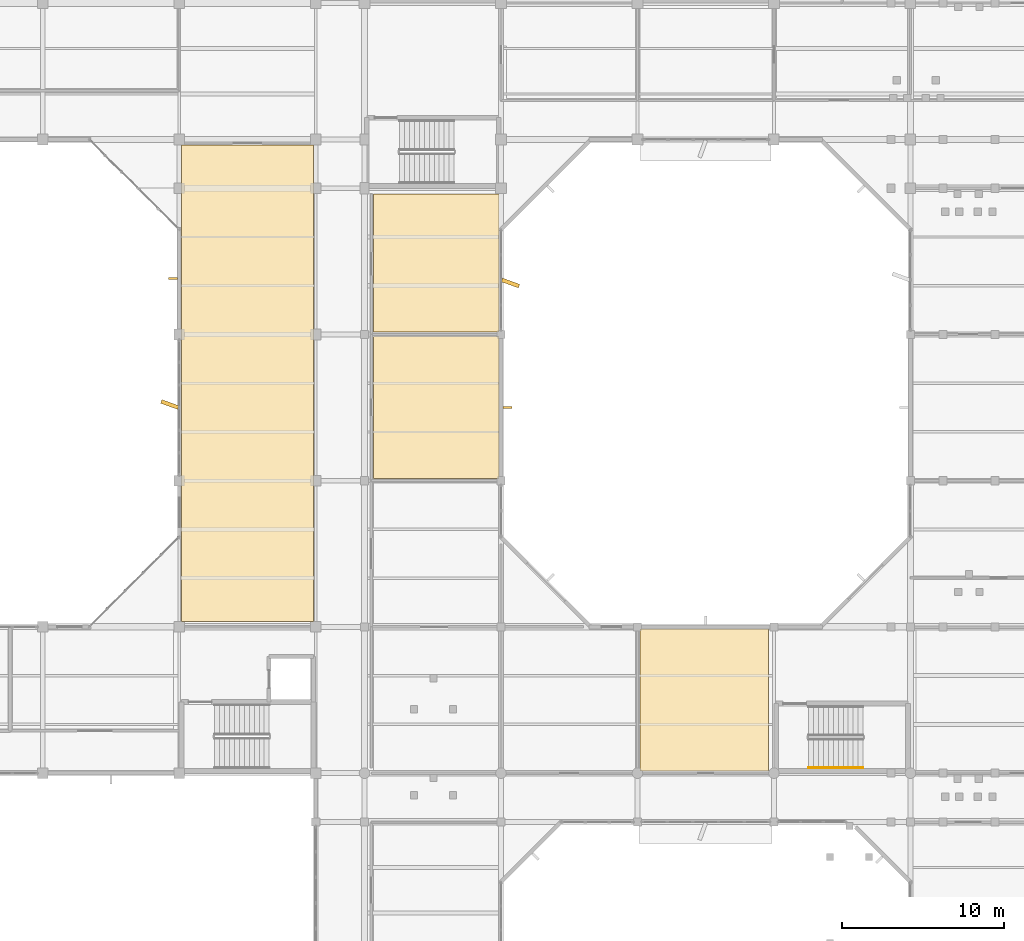
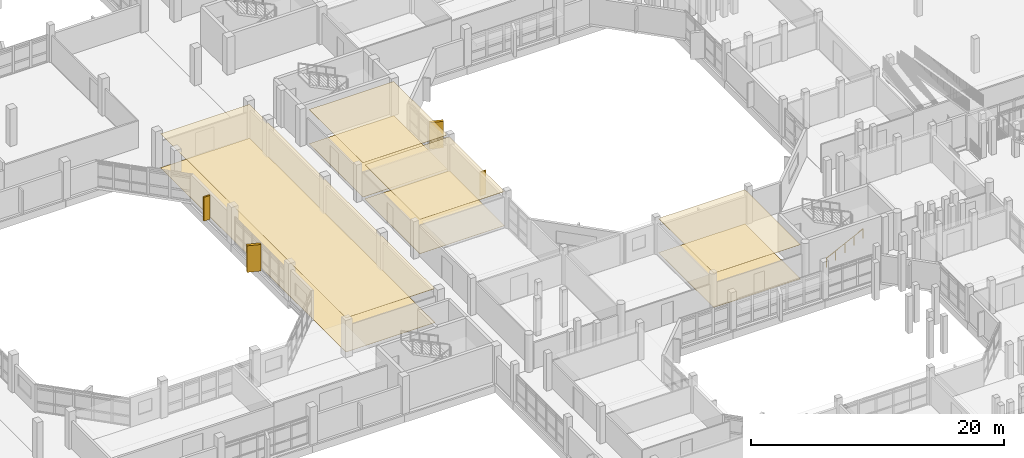
# One storey, part 86 of 104: 10 coverings, 2 shading devices, 1 railing.
"""IFC4 building model written with IfcOpenShell, lengths in metres."""

import ifcopenshell
import ifcopenshell.guid

model = None  # the IFC model being written
_history = None  # IfcOwnerHistory: only IFC2X3 demands one
_inside = {}  # id of a spatial element -> (the spatial element, [elements in it])
_under = {}  # id of a project, library or spatial element -> (it, [spatial elements below it])
_declared = {}  # id of a project -> (the project, [libraries it declares])
_typed = {}  # id of a type object -> (the type object, [elements of that type])
_made_of = {}  # id of a material, layer set ... -> (it, [elements and type objects made of it])


def new_model(schema):
    """Start an empty IFC model of exactly this schema.

    Asked for "IFC4X3", IfcOpenShell would pick the latest addendum, in which some entities
    have other attributes; the version numbers below select the first issue.
    IFC2X3 requires an IfcOwnerHistory on every rooted entity: one is made here for all.
    """
    global model, _history
    if schema == "IFC4X3":
        model = ifcopenshell.file(schema_version=(4, 3, 0, 0))
    else:
        model = ifcopenshell.file(schema=schema)
    _inside.clear()
    _under.clear()
    _declared.clear()
    _typed.clear()
    _made_of.clear()
    _history = None
    if model.schema == "IFC2X3":
        org = make("IfcOrganization", Name="unknown")
        user = make(
            "IfcPersonAndOrganization",
            ThePerson=make("IfcPerson", FamilyName="unknown"),
            TheOrganization=org,
        )
        app = make(
            "IfcApplication",
            ApplicationDeveloper=org,
            Version="unknown",
            ApplicationFullName="unknown",
            ApplicationIdentifier="unknown",
        )
        _history = make(
            "IfcOwnerHistory",
            OwningUser=user,
            OwningApplication=app,
            ChangeAction="ADDED",
            CreationDate=0,
        )
    return model


def make(cls, **values):
    """One entity of the class cls with the attributes given. An attribute that is None is left unset."""
    return model.create_entity(
        cls, **{name: value for name, value in values.items() if value is not None}
    )


def rooted(cls, **values):
    """An entity with a GlobalId (a new one), such as an element, a storey or a relation."""
    return make(cls, GlobalId=ifcopenshell.guid.new(), OwnerHistory=_history, **values)


def si_unit(unit_type, name, prefix=None):
    """IfcSIUnit, for example si_unit("LENGTHUNIT", "METRE", prefix="MILLI")."""
    return make("IfcSIUnit", UnitType=unit_type, Prefix=prefix, Name=name)


def assignment(units):
    """IfcUnitAssignment: the units of a project."""
    return None if units is None else make("IfcUnitAssignment", Units=units)


def point(xyz):
    """IfcCartesianPoint."""
    return None if xyz is None else make("IfcCartesianPoint", Coordinates=xyz)


def direction(xyz):
    """IfcDirection."""
    return None if xyz is None else make("IfcDirection", DirectionRatios=xyz)


def frame(location, z_axis=None, x_axis=None):
    """IfcAxis2Placement3D, a coordinate frame: its origin and axes. An axis left out is left unset."""
    return make(
        "IfcAxis2Placement3D",
        Location=point(location),
        Axis=direction(z_axis),
        RefDirection=direction(x_axis),
    )


def frame_2d(location, x_axis=None):
    """IfcAxis2Placement2D, a coordinate frame in the plane: its origin and x axis."""
    return make(
        "IfcAxis2Placement2D", Location=point(location), RefDirection=direction(x_axis)
    )


def origin():
    """The frame at (0, 0, 0) with its axes left unset."""
    return frame((0.0, 0.0, 0.0))


def origin_2d():
    """The frame at (0, 0) in the plane with its x axis left unset."""
    return frame_2d((0.0, 0.0))


def place(relative_to, where):
    """IfcLocalPlacement: puts the frame where relative to a parent placement (None: the world)."""
    return make(
        "IfcLocalPlacement", PlacementRelTo=relative_to, RelativePlacement=where
    )


def context(
    kind, dimensions, precision=None, world=None, true_north=None, identifier=None
):
    """IfcGeometricRepresentationContext, for example the 3D "Model" context."""
    return make(
        "IfcGeometricRepresentationContext",
        ContextIdentifier=identifier,
        ContextType=kind,
        CoordinateSpaceDimension=dimensions,
        Precision=precision,
        WorldCoordinateSystem=world,
        TrueNorth=true_north,
    )


def subcontext(parent, identifier, kind, view, scale=None):
    """IfcGeometricRepresentationSubContext, for example "Body" below "Model"."""
    return make(
        "IfcGeometricRepresentationSubContext",
        ContextIdentifier=identifier,
        ContextType=kind,
        ParentContext=parent,
        TargetScale=scale,
        TargetView=view,
    )


def project(units=None, contexts=None):
    """IfcProject with its units and contexts."""
    return rooted(
        "IfcProject",
        Name="project",
        RepresentationContexts=contexts,
        UnitsInContext=assignment(units),
    )


def spatial(cls, under=None, at=None, **own):
    """A site, building, storey or space (cls), placed at a placement, below another one or the project."""
    s = rooted(cls, ObjectPlacement=at, **own)
    if under is not None:
        _under.setdefault(under.id(), (under, []))[1].append(s)
    return s


def polyline(points):
    """IfcPolyline through the points."""
    return make("IfcPolyline", Points=[point(p) for p in points])


def profile(cls, at=None, kind="AREA", **sizes):
    """A parametric profile (cls). Its sizes go by their IFC names, for example OverallWidth=200.0."""
    return make(cls, ProfileType=kind, Position=at, **sizes)


def rectangle(**sizes):
    """IfcRectangleProfileDef."""
    return profile("IfcRectangleProfileDef", **sizes)


def circle(**sizes):
    """IfcCircleProfileDef."""
    return profile("IfcCircleProfileDef", **sizes)


def outline(outer, holes=None, kind="AREA"):
    """IfcArbitraryClosedProfileDef: a profile drawn as a closed curve; with holes, ...WithVoids."""
    if holes is None:
        return make("IfcArbitraryClosedProfileDef", ProfileType=kind, OuterCurve=outer)
    return make(
        "IfcArbitraryProfileDefWithVoids",
        ProfileType=kind,
        OuterCurve=outer,
        InnerCurves=holes,
    )


def extrude(swept, where, along, depth):
    """IfcExtrudedAreaSolid: the profile swept, set in the frame where, extruded along a direction by depth."""
    return make(
        "IfcExtrudedAreaSolid",
        SweptArea=swept,
        Position=where,
        ExtrudedDirection=direction(along),
        Depth=depth,
    )


def shape(context_of_items, identifier, shape_type, items):
    """IfcShapeRepresentation: the items that make up one representation, for example the "Body"."""
    return make(
        "IfcShapeRepresentation",
        ContextOfItems=context_of_items,
        RepresentationIdentifier=identifier,
        RepresentationType=shape_type,
        Items=items,
    )


def material(Name=None, Category=None):
    """IfcMaterial."""
    return make("IfcMaterial", Name=Name, Category=Category)


def layer(
    of_material, thickness, ventilated=None, Name=None, Category=None, Priority=None
):
    """IfcMaterialLayer: one layer of a wall or slab, of a material (None: an air gap)."""
    return make(
        "IfcMaterialLayer",
        Material=of_material,
        LayerThickness=thickness,
        IsVentilated=ventilated,
        Name=Name,
        Category=Category,
        Priority=Priority,
    )


def layer_set(layers, Name=None):
    """IfcMaterialLayerSet."""
    return make("IfcMaterialLayerSet", MaterialLayers=layers, LayerSetName=Name)


def made_of(thing, what):
    """Note that an element or type object is made of a material, layer set ...; save() writes the relation."""
    if what is not None:
        _made_of.setdefault(what.id(), (what, []))[1].append(thing)
    return thing


def type_object(cls, material=None, **own):
    """A type object (cls), such as IfcWallType, which elements share."""
    return made_of(rooted(cls, **own), material)


def element(
    cls,
    number,
    at=None,
    inside=None,
    cuts=None,
    type_object=None,
    material=None,
    context=None,
    identifier="Body",
    shape_type=None,
    held_by="IfcProductDefinitionShape",
    body=None,
    shapes=None,
    **own,
):
    """One element of the class cls, such as IfcWall. Its Tag is "e" and its number.

    at: its placement. inside: the storey or other place that contains it. cuts: it is an
    opening in that element (IfcRelVoidsElement). A single representation is given by context,
    identifier, shape_type and body (its items); several are given by shapes. held_by: the class
    of the entity that holds the representations. save() writes the other relations.
    """
    e = rooted(cls, Tag="e%d" % number, ObjectPlacement=at, **own)
    if body is not None:
        shapes = [shape(context, identifier, shape_type, body)]
    if shapes is not None:
        e.Representation = make(held_by, Representations=shapes)
    if inside is not None:
        _inside.setdefault(inside.id(), (inside, []))[1].append(e)
    if cuts is not None:
        rooted(
            "IfcRelVoidsElement", RelatingBuildingElement=cuts, RelatedOpeningElement=e
        )
    if type_object is not None:
        _typed.setdefault(type_object.id(), (type_object, []))[1].append(e)
    return made_of(e, material)


def aggregate(whole, parts):
    """IfcRelAggregates: a whole, such as a stair, and the parts it consists of."""
    return rooted("IfcRelAggregates", RelatingObject=whole, RelatedObjects=parts)


def save(model, path):
    """Write the relations noted so far, then the file.

    IfcRelAggregates (storeys below a building ...), IfcRelContainedInSpatialStructure (elements
    in a storey), IfcRelDefinesByType, IfcRelAssociatesMaterial and IfcRelDeclares: one each for
    every whole, place, type object, material and project.
    """
    for whole, parts in _under.values():
        aggregate(whole, parts)
    for where, things in _inside.values():
        rooted(
            "IfcRelContainedInSpatialStructure",
            RelatedElements=things,
            RelatingStructure=where,
        )
    for kind, things in _typed.values():
        rooted("IfcRelDefinesByType", RelatedObjects=things, RelatingType=kind)
    for what, things in _made_of.values():
        rooted("IfcRelAssociatesMaterial", RelatedObjects=things, RelatingMaterial=what)
    for by, libraries in _declared.values():
        rooted("IfcRelDeclares", RelatingContext=by, RelatedDefinitions=libraries)
    model.write(path)


model = new_model("IFC4")

# Units and contexts
model_context = context("Model", 3, precision=1e-05, world=origin(), true_north=direction((0.0, 1.0)))
body_context = subcontext(model_context, "Body", "Model", "MODEL_VIEW")
ifc_project = project(units=[si_unit("LENGTHUNIT", "METRE"), si_unit("AREAUNIT", "SQUARE_METRE"), si_unit("VOLUMEUNIT", "CUBIC_METRE"), si_unit("PLANEANGLEUNIT", "RADIAN"), si_unit("MASSUNIT", "GRAM", prefix="KILO")], contexts=[model_context])

# Site, building, storey
site_placement = place(None, origin())
site = spatial("IfcSite", under=ifc_project, at=site_placement, CompositionType="ELEMENT")
building_placement = place(site_placement, origin())
building = spatial("IfcBuilding", under=site, at=building_placement, Name="Vanh Quang Courtyard School", CompositionType="ELEMENT")
storey_placement = place(building_placement, frame((0.0, 0.0, 4.199951171875)))
storey = spatial("IfcBuildingStorey", under=building, at=storey_placement, Name="L01", CompositionType="ELEMENT", Elevation=4.199951171875)

# Coverings
ifc_material_1 = material(Name="Perforated mineral-fibre acoustic ceiling board")
ifc_layer_1 = layer(ifc_material_1, 0.02490234375)
ifc_layer_set_1 = layer_set([ifc_layer_1], Name="Perforated mineral-fibre acoustic ceiling board")
covering_type_1 = type_object("IfcCoveringType", Name="COV-CEIL-ACOUSTIC", PredefinedType="CEILING", material=ifc_layer_set_1)
covering_1_placement = place(storey_placement, frame((0.0, 0.0, 3.275146484375)))
element("IfcCovering", 1, at=covering_1_placement, inside=storey, type_object=covering_type_1, Name="Covering CV-CL1 (L01)", PredefinedType="CEILING", context=body_context, shape_type="SweptSolid", body=[
    extrude(outline(polyline([(66.1298828125, 71.0400390625), (66.1298828125, 71.041015625), (66.130126953125, 71.0419921875), (66.13037109375, 71.04296875), (66.130859375, 71.043701171875), (66.131103515625, 71.044677734375), (66.131591796875, 71.045654296875), (66.13232421875, 71.04638671875), (66.1328125, 71.047119140625), (66.1337890625, 71.047607421875), (66.134521484375, 71.04833984375), (66.13525390625, 71.048828125), (66.13623046875, 71.04931640625), (66.13720703125, 71.049560546875), (66.137939453125, 71.0498046875), (66.138916015625, 71.050048828125), (66.139892578125, 71.050048828125), (74.239990234375, 71.050048828125), (74.240966796875, 71.050048828125), (74.241943359375, 71.0498046875), (74.242919921875, 71.049560546875), (74.243896484375, 71.04931640625), (74.24462890625, 71.048828125), (74.24560546875, 71.04833984375), (74.246337890625, 71.047607421875), (74.2470703125, 71.047119140625), (74.247802734375, 71.04638671875), (74.248291015625, 71.045654296875), (74.248779296875, 71.044677734375), (74.249267578125, 71.043701171875), (74.24951171875, 71.04296875), (74.249755859375, 71.0419921875), (74.25, 71.041015625), (74.25, 71.0400390625), (74.25, 41.75), (66.1298828125, 41.75), (66.1298828125, 71.0400390625)])), origin(), (0.0, 0.0, 1.0), 0.02490234375),
])
covering_2_placement = place(storey_placement, frame((0.0, 0.0, 3.295166015625)))
element("IfcCovering", 2, at=covering_2_placement, inside=storey, type_object=covering_type_1, Name="Covering CV-CL1 (L01)", PredefinedType="CEILING", context=body_context, shape_type="SweptSolid", body=[
    extrude(outline(polyline([(77.9599609375, 50.550048828125), (77.958984375, 50.550048828125), (77.9580078125, 50.55029296875), (77.95703125, 50.55029296875), (77.956298828125, 50.55078125), (77.955322265625, 50.55126953125), (77.954345703125, 50.5517578125), (77.95361328125, 50.55224609375), (77.952880859375, 50.552978515625), (77.952392578125, 50.5537109375), (77.95166015625, 50.554443359375), (77.951171875, 50.555419921875), (77.95068359375, 50.55615234375), (77.950439453125, 50.55712890625), (77.9501953125, 50.55810546875), (77.949951171875, 50.55908203125), (77.949951171875, 50.56005859375), (77.949951171875, 59.260009765625), (77.949951171875, 59.260986328125), (77.9501953125, 59.261962890625), (77.950439453125, 59.262939453125), (77.95068359375, 59.263916015625), (77.951171875, 59.2646484375), (77.95166015625, 59.265625), (77.952392578125, 59.266357421875), (77.952880859375, 59.26708984375), (77.95361328125, 59.267578125), (77.954345703125, 59.268310546875), (77.955322265625, 59.268798828125), (77.956298828125, 59.269287109375), (77.95703125, 59.26953125), (77.9580078125, 59.269775390625), (77.958984375, 59.27001953125), (77.9599609375, 59.27001953125), (85.659912109375, 59.27001953125), (85.660888671875, 59.27001953125), (85.662109375, 59.269775390625), (85.662841796875, 59.26953125), (85.663818359375, 59.269287109375), (85.664794921875, 59.268798828125), (85.66552734375, 59.268310546875), (85.666259765625, 59.267578125), (85.6669921875, 59.26708984375), (85.667724609375, 59.266357421875), (85.668212890625, 59.265625), (85.668701171875, 59.2646484375), (85.669189453125, 59.263916015625), (85.669677734375, 59.262939453125), (85.669921875, 59.261962890625), (85.669921875, 59.260986328125), (85.669921875, 59.260009765625), (85.669921875, 50.56005859375), (85.669921875, 50.55908203125), (85.669921875, 50.55810546875), (85.669677734375, 50.55712890625), (85.669189453125, 50.55615234375), (85.668701171875, 50.555419921875), (85.668212890625, 50.554443359375), (85.667724609375, 50.5537109375), (85.6669921875, 50.552978515625), (85.666259765625, 50.55224609375), (85.66552734375, 50.5517578125), (85.664794921875, 50.55126953125), (85.663818359375, 50.55078125), (85.662841796875, 50.55029296875), (85.662109375, 50.55029296875), (85.660888671875, 50.550048828125), (85.659912109375, 50.550048828125), (77.9599609375, 50.550048828125)])), origin(), (0.0, 0.0, 1.0), 0.02490234375),
])
covering_3_placement = place(storey_placement, frame((0.0, 0.0, 3.295166015625)))
element("IfcCovering", 3, at=covering_3_placement, inside=storey, type_object=covering_type_1, Name="Covering CV-CL1 (L01)", PredefinedType="CEILING", context=body_context, shape_type="SweptSolid", body=[
    extrude(outline(polyline([(77.9599609375, 59.550048828125), (77.958984375, 59.550048828125), (77.9580078125, 59.55029296875), (77.95703125, 59.55029296875), (77.956298828125, 59.55078125), (77.955322265625, 59.55126953125), (77.954345703125, 59.5517578125), (77.95361328125, 59.55224609375), (77.952880859375, 59.552978515625), (77.952392578125, 59.5537109375), (77.95166015625, 59.554443359375), (77.951171875, 59.555419921875), (77.95068359375, 59.55615234375), (77.950439453125, 59.55712890625), (77.9501953125, 59.55810546875), (77.949951171875, 59.55908203125), (77.949951171875, 59.56005859375), (77.949951171875, 68.050048828125), (85.669921875, 68.050048828125), (85.669921875, 59.56005859375), (85.669921875, 59.55908203125), (85.669921875, 59.55810546875), (85.669677734375, 59.55712890625), (85.669189453125, 59.55615234375), (85.668701171875, 59.555419921875), (85.668212890625, 59.554443359375), (85.667724609375, 59.5537109375), (85.6669921875, 59.552978515625), (85.666259765625, 59.55224609375), (85.66552734375, 59.5517578125), (85.664794921875, 59.55126953125), (85.663818359375, 59.55078125), (85.662841796875, 59.55029296875), (85.662109375, 59.55029296875), (85.660888671875, 59.550048828125), (85.659912109375, 59.550048828125), (77.9599609375, 59.550048828125)])), origin(), (0.0, 0.0, 1.0), 0.02490234375),
])
covering_4_placement = place(storey_placement, frame((0.0, 0.0, 3.295166015625)))
element("IfcCovering", 4, at=covering_4_placement, inside=storey, type_object=covering_type_1, Name="Covering CV-CL1 (L01)", PredefinedType="CEILING", context=body_context, shape_type="SweptSolid", body=[
    extrude(outline(polyline([(94.360107421875, 32.530029296875), (94.35888671875, 32.530029296875), (94.35791015625, 32.5302734375), (94.357177734375, 32.530517578125), (94.356201171875, 32.53076171875), (94.355224609375, 32.53125), (94.3544921875, 32.53173828125), (94.353759765625, 32.5322265625), (94.352783203125, 32.532958984375), (94.352294921875, 32.53369140625), (94.351806640625, 32.534423828125), (94.351318359375, 32.535400390625), (94.350830078125, 32.5361328125), (94.350341796875, 32.537109375), (94.35009765625, 32.5380859375), (94.35009765625, 32.5390625), (94.35009765625, 32.5400390625), (94.35009765625, 41.260009765625), (94.35009765625, 41.260986328125), (94.35009765625, 41.261962890625), (94.350341796875, 41.262939453125), (94.350830078125, 41.263916015625), (94.351318359375, 41.2646484375), (94.351806640625, 41.265625), (94.352294921875, 41.266357421875), (94.352783203125, 41.26708984375), (94.353759765625, 41.267578125), (94.3544921875, 41.268310546875), (94.355224609375, 41.268798828125), (94.356201171875, 41.269287109375), (94.357177734375, 41.26953125), (94.35791015625, 41.269775390625), (94.35888671875, 41.27001953125), (94.360107421875, 41.27001953125), (102.25, 41.27001953125), (102.25, 32.530029296875), (94.360107421875, 32.530029296875)])), origin(), (0.0, 0.0, 1.0), 0.02490234375),
])
ifc_material_2 = material(Name="Polished cementitious terrazzo tile", Category="concrete")
ifc_layer_2 = layer(ifc_material_2, 0.02001953125)
ifc_layer_set_2 = layer_set([ifc_layer_2], Name="Polished cementitious terrazzo tile")
covering_type_2 = type_object("IfcCoveringType", Name="COV-FLR-TERRAZZO", PredefinedType="FLOORING", material=ifc_layer_set_2)
covering_5_placement = place(storey_placement, origin())
element("IfcCovering", 5, at=covering_5_placement, inside=storey, type_object=covering_type_2, Name="Covering CV-FL1 (L01)", PredefinedType="FLOORING", context=body_context, shape_type="SweptSolid", body=[
    extrude(outline(polyline([(66.1298828125, 71.0400390625), (66.1298828125, 71.041015625), (66.130126953125, 71.0419921875), (66.13037109375, 71.04296875), (66.130859375, 71.043701171875), (66.131103515625, 71.044677734375), (66.131591796875, 71.045654296875), (66.13232421875, 71.04638671875), (66.1328125, 71.047119140625), (66.1337890625, 71.047607421875), (66.134521484375, 71.04833984375), (66.13525390625, 71.048828125), (66.13623046875, 71.04931640625), (66.13720703125, 71.049560546875), (66.137939453125, 71.0498046875), (66.138916015625, 71.050048828125), (66.139892578125, 71.050048828125), (74.239990234375, 71.050048828125), (74.240966796875, 71.050048828125), (74.241943359375, 71.0498046875), (74.242919921875, 71.049560546875), (74.243896484375, 71.04931640625), (74.24462890625, 71.048828125), (74.24560546875, 71.04833984375), (74.246337890625, 71.047607421875), (74.2470703125, 71.047119140625), (74.247802734375, 71.04638671875), (74.248291015625, 71.045654296875), (74.248779296875, 71.044677734375), (74.249267578125, 71.043701171875), (74.24951171875, 71.04296875), (74.249755859375, 71.0419921875), (74.25, 71.041015625), (74.25, 71.0400390625), (74.25, 41.75), (66.1298828125, 41.75), (66.1298828125, 71.0400390625)])), origin(), (0.0, 0.0, 1.0), 0.02001953125),
])
covering_6_placement = place(storey_placement, origin())
element("IfcCovering", 6, at=covering_6_placement, inside=storey, type_object=covering_type_2, Name="Covering CV-FL1 (L01)", PredefinedType="FLOORING", context=body_context, shape_type="SweptSolid", body=[
    extrude(outline(polyline([(77.9599609375, 50.550048828125), (77.958984375, 50.550048828125), (77.9580078125, 50.55029296875), (77.95703125, 50.55029296875), (77.956298828125, 50.55078125), (77.955322265625, 50.55126953125), (77.954345703125, 50.5517578125), (77.95361328125, 50.55224609375), (77.952880859375, 50.552978515625), (77.952392578125, 50.5537109375), (77.95166015625, 50.554443359375), (77.951171875, 50.555419921875), (77.95068359375, 50.55615234375), (77.950439453125, 50.55712890625), (77.9501953125, 50.55810546875), (77.949951171875, 50.55908203125), (77.949951171875, 50.56005859375), (77.949951171875, 59.260009765625), (77.949951171875, 59.260986328125), (77.9501953125, 59.261962890625), (77.950439453125, 59.262939453125), (77.95068359375, 59.263916015625), (77.951171875, 59.2646484375), (77.95166015625, 59.265625), (77.952392578125, 59.266357421875), (77.952880859375, 59.26708984375), (77.95361328125, 59.267578125), (77.954345703125, 59.268310546875), (77.955322265625, 59.268798828125), (77.956298828125, 59.269287109375), (77.95703125, 59.26953125), (77.9580078125, 59.269775390625), (77.958984375, 59.27001953125), (77.9599609375, 59.27001953125), (85.659912109375, 59.27001953125), (85.660888671875, 59.27001953125), (85.662109375, 59.269775390625), (85.662841796875, 59.26953125), (85.663818359375, 59.269287109375), (85.664794921875, 59.268798828125), (85.66552734375, 59.268310546875), (85.666259765625, 59.267578125), (85.6669921875, 59.26708984375), (85.667724609375, 59.266357421875), (85.668212890625, 59.265625), (85.668701171875, 59.2646484375), (85.669189453125, 59.263916015625), (85.669677734375, 59.262939453125), (85.669921875, 59.261962890625), (85.669921875, 59.260986328125), (85.669921875, 59.260009765625), (85.669921875, 50.56005859375), (85.669921875, 50.55908203125), (85.669921875, 50.55810546875), (85.669677734375, 50.55712890625), (85.669189453125, 50.55615234375), (85.668701171875, 50.555419921875), (85.668212890625, 50.554443359375), (85.667724609375, 50.5537109375), (85.6669921875, 50.552978515625), (85.666259765625, 50.55224609375), (85.66552734375, 50.5517578125), (85.664794921875, 50.55126953125), (85.663818359375, 50.55078125), (85.662841796875, 50.55029296875), (85.662109375, 50.55029296875), (85.660888671875, 50.550048828125), (85.659912109375, 50.550048828125), (77.9599609375, 50.550048828125)])), origin(), (0.0, 0.0, 1.0), 0.02001953125),
])
covering_7_placement = place(storey_placement, origin())
element("IfcCovering", 7, at=covering_7_placement, inside=storey, type_object=covering_type_2, Name="Covering CV-FL1 (L01)", PredefinedType="FLOORING", context=body_context, shape_type="SweptSolid", body=[
    extrude(outline(polyline([(77.9599609375, 59.550048828125), (77.958984375, 59.550048828125), (77.9580078125, 59.55029296875), (77.95703125, 59.55029296875), (77.956298828125, 59.55078125), (77.955322265625, 59.55126953125), (77.954345703125, 59.5517578125), (77.95361328125, 59.55224609375), (77.952880859375, 59.552978515625), (77.952392578125, 59.5537109375), (77.95166015625, 59.554443359375), (77.951171875, 59.555419921875), (77.95068359375, 59.55615234375), (77.950439453125, 59.55712890625), (77.9501953125, 59.55810546875), (77.949951171875, 59.55908203125), (77.949951171875, 59.56005859375), (77.949951171875, 68.050048828125), (85.669921875, 68.050048828125), (85.669921875, 59.56005859375), (85.669921875, 59.55908203125), (85.669921875, 59.55810546875), (85.669677734375, 59.55712890625), (85.669189453125, 59.55615234375), (85.668701171875, 59.555419921875), (85.668212890625, 59.554443359375), (85.667724609375, 59.5537109375), (85.6669921875, 59.552978515625), (85.666259765625, 59.55224609375), (85.66552734375, 59.5517578125), (85.664794921875, 59.55126953125), (85.663818359375, 59.55078125), (85.662841796875, 59.55029296875), (85.662109375, 59.55029296875), (85.660888671875, 59.550048828125), (85.659912109375, 59.550048828125), (77.9599609375, 59.550048828125)])), origin(), (0.0, 0.0, 1.0), 0.02001953125),
])
covering_8_placement = place(storey_placement, origin())
element("IfcCovering", 8, at=covering_8_placement, inside=storey, type_object=covering_type_2, Name="Covering CV-FL1 (L01)", PredefinedType="FLOORING", context=body_context, shape_type="SweptSolid", body=[
    extrude(outline(polyline([(94.360107421875, 32.530029296875), (94.35888671875, 32.530029296875), (94.35791015625, 32.5302734375), (94.357177734375, 32.530517578125), (94.356201171875, 32.53076171875), (94.355224609375, 32.53125), (94.3544921875, 32.53173828125), (94.353759765625, 32.5322265625), (94.352783203125, 32.532958984375), (94.352294921875, 32.53369140625), (94.351806640625, 32.534423828125), (94.351318359375, 32.535400390625), (94.350830078125, 32.5361328125), (94.350341796875, 32.537109375), (94.35009765625, 32.5380859375), (94.35009765625, 32.5390625), (94.35009765625, 32.5400390625), (94.35009765625, 41.260009765625), (94.35009765625, 41.260986328125), (94.35009765625, 41.261962890625), (94.350341796875, 41.262939453125), (94.350830078125, 41.263916015625), (94.351318359375, 41.2646484375), (94.351806640625, 41.265625), (94.352294921875, 41.266357421875), (94.352783203125, 41.26708984375), (94.353759765625, 41.267578125), (94.3544921875, 41.268310546875), (94.355224609375, 41.268798828125), (94.356201171875, 41.269287109375), (94.357177734375, 41.26953125), (94.35791015625, 41.269775390625), (94.35888671875, 41.27001953125), (94.360107421875, 41.27001953125), (102.25, 41.27001953125), (102.25, 32.530029296875), (94.360107421875, 32.530029296875)])), origin(), (0.0, 0.0, 1.0), 0.02001953125),
])
ifc_material_3 = material(Name="Board-marked precast concrete C40/50", Category="concrete")
ifc_layer_3 = layer(ifc_material_3, 0.239990234375)
ifc_layer_set_3 = layer_set([ifc_layer_3], Name="Board-marked precast concrete C40/50")
covering_type_3 = type_object("IfcCoveringType", Name="COV-HOOD-CONC", PredefinedType="CLADDING", material=ifc_layer_set_3)
for number, where, z_axis, x_axis, name in (
    (9, (65.4150390625, 55.090087890625, 0.0), (0.0, 0.0, 1.0), (-0.94028812701, 0.340379550213, 0.0), "Covering CH-01 (L01)"),
    (10, (86.385009765625, 62.56689453125, 0.0), (0.0, 0.0, 1.0), (0.94028812701, -0.340379550213, 0.0), "Covering CH-01 (L01)"),
):
    element("IfcCovering", number, at=place(storey_placement, frame(where, z_axis=z_axis, x_axis=x_axis)), inside=storey, type_object=covering_type_3, Name=name, PredefinedType="CLADDING", context=body_context, shape_type="SweptSolid", body=[
        extrude(rectangle(XDim=1.11669921875, YDim=0.239990234375, at=origin_2d()), origin(), (0.0, 0.0, 1.0), 2.56005859375),
    ])

# Railing
ifc_material_4 = material(Name="Brushed stainless steel", Category="steel")
railing_type = type_object("IfcRailingType", Name="RAIL-HAND-900", PredefinedType="HANDRAIL", material=ifc_material_4)
railing_placement = place(storey_placement, frame((104.72998046875, 32.72998046875, 0.150146484375)))
element("IfcRailing", 11, at=railing_placement, inside=storey, type_object=railing_type, Name="L01 ST-08 stair handrail 1", PredefinedType="HANDRAIL", context=body_context, shape_type="SweptSolid", body=[
    extrude(circle(Radius=0.02392578125, at=origin_2d()), frame((0.0, 0.0, 0.8759765625), z_axis=(0.897359292542, 0.0, 0.441300691239), x_axis=(0.0, 1.0, 0.0)), (0.0, 0.0, 1.0), 3.73876953125),
    extrude(circle(Radius=0.02099609375, at=origin_2d()), origin(), (0.0, 0.0, 1.0), 0.851806640625),
    extrude(circle(Radius=0.02099609375, at=origin_2d()), frame((0.8388671875, 0.0, 0.41259765625)), (0.0, 0.0, 1.0), 0.851806640625),
    extrude(circle(Radius=0.02099609375, at=origin_2d()), frame((1.677490234375, 0.0, 0.824951171875)), (0.0, 0.0, 1.0), 0.851806640625),
    extrude(circle(Radius=0.02099609375, at=origin_2d()), frame((2.51611328125, 0.0, 1.2373046875)), (0.0, 0.0, 1.0), 0.851806640625),
    extrude(circle(Radius=0.02099609375, at=origin_2d()), frame((3.35498046875, 0.0, 1.64990234375)), (0.0, 0.0, 1.0), 0.851806640625),
])

# Shading devices
shading_device_type = type_object("IfcShadingDeviceType", Name="SHD-FIN-CONCRETE", PredefinedType="USERDEFINED", material=ifc_material_3)
shading_device_1_placement = place(storey_placement, frame((65.60498046875, 62.849609375, 0.14990234375), z_axis=(0.0, 0.0, 1.0), x_axis=(0.0, 1.0, 0.0)))
element("IfcShadingDevice", 12, at=shading_device_1_placement, inside=storey, type_object=shading_device_type, Name="Solar Shading SH-02 (L01)", ObjectType="Solar Shading SH-02 (L01)", PredefinedType="USERDEFINED", context=body_context, shape_type="SweptSolid", body=[
    extrude(rectangle(XDim=0.139892578125, YDim=0.550048828125, at=origin_2d()), origin(), (0.0, 0.0, 1.0), 2.300048828125),
])
shading_device_2_placement = place(storey_placement, frame((86.195068359375, 54.89990234375, 0.14990234375), z_axis=(0.0, 0.0, 1.0), x_axis=(0.0, -1.0, 0.0)))
element("IfcShadingDevice", 13, at=shading_device_2_placement, inside=storey, type_object=shading_device_type, Name="Solar Shading SH-02 (L01)", ObjectType="Solar Shading SH-02 (L01)", PredefinedType="USERDEFINED", context=body_context, shape_type="SweptSolid", body=[
    extrude(rectangle(XDim=0.139892578125, YDim=0.550048828125, at=origin_2d()), origin(), (0.0, 0.0, 1.0), 2.320068359375),
])

save(model, "model.ifc")
